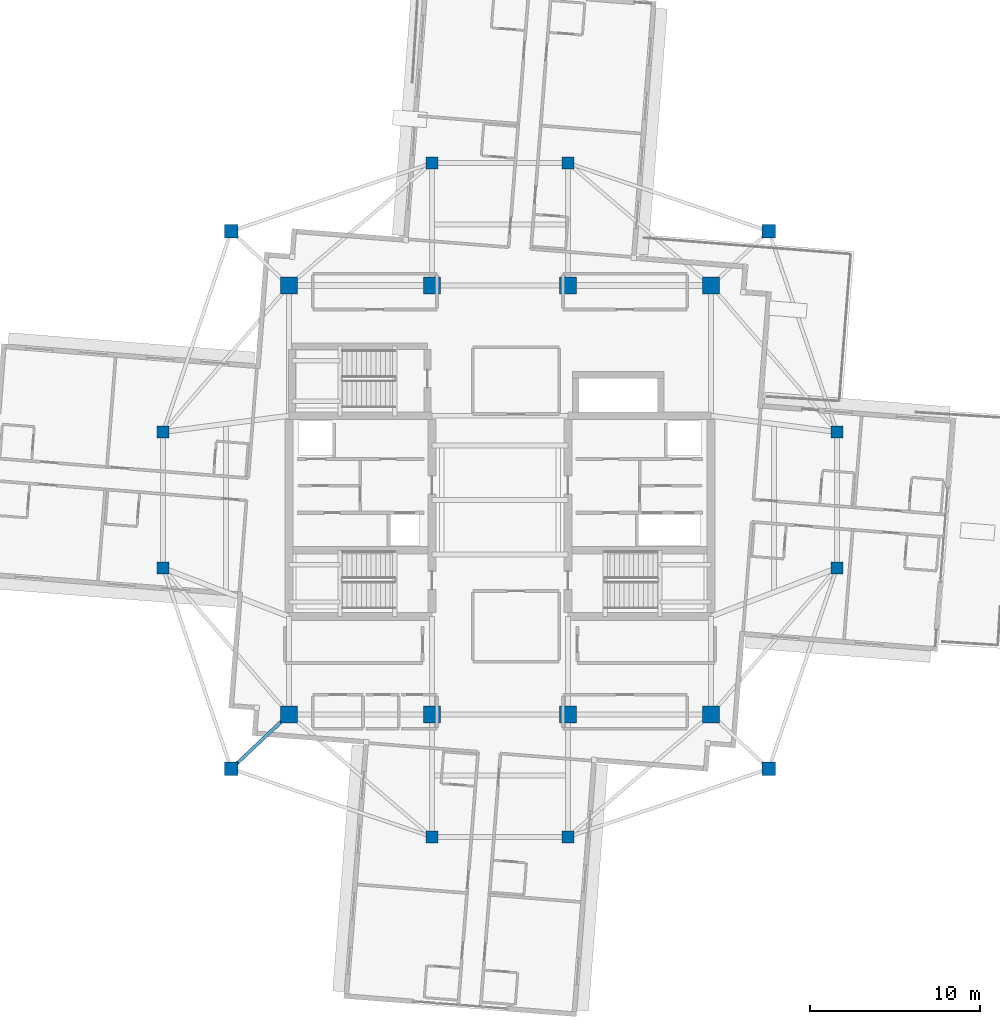
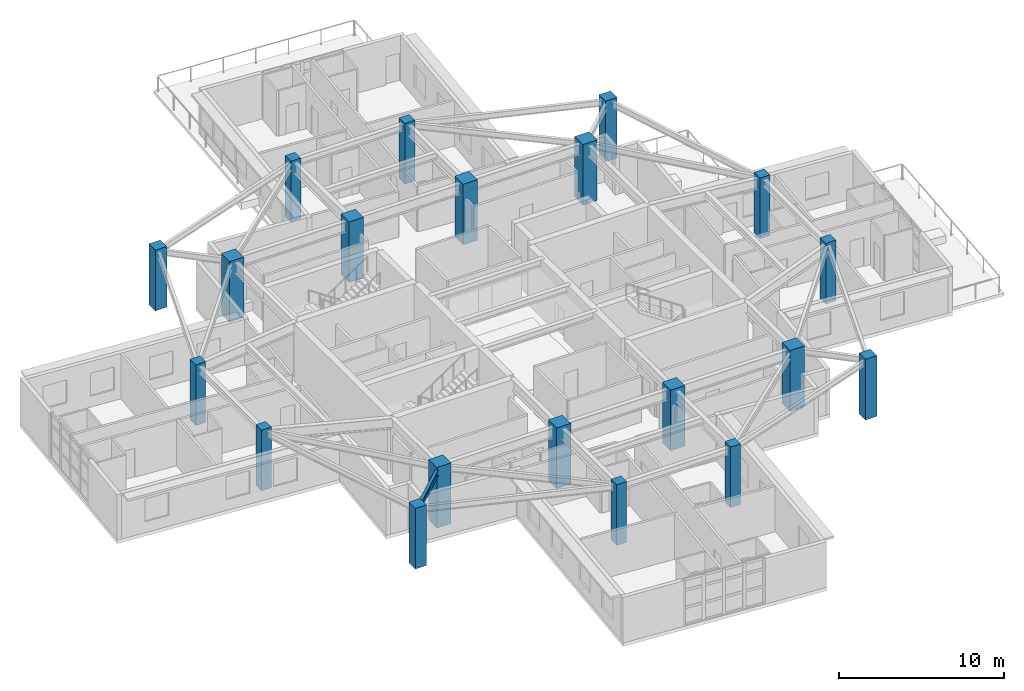
# One storey, part 1 of 23: 20 columns, 1 beam.
"""IFC4 building model written with IfcOpenShell, lengths in metres."""

from ifc_helpers import new_model, si_unit, direction, frame, origin, origin_2d, place, context, subcontext, project, spatial, rectangle, i_section, extrude, material, material_profile, profile_set, type_object, element, save


model = new_model("IFC4")

# Units and contexts
model_context = context("Model", 3, precision=1e-05, world=origin(), true_north=direction((0.0, 1.0)))
body_context = subcontext(model_context, "Body", "Model", "MODEL_VIEW")
ifc_project = project(units=[si_unit("LENGTHUNIT", "METRE"), si_unit("AREAUNIT", "SQUARE_METRE"), si_unit("VOLUMEUNIT", "CUBIC_METRE"), si_unit("PLANEANGLEUNIT", "RADIAN"), si_unit("MASSUNIT", "GRAM", prefix="KILO")], contexts=[model_context])

# Site, building, storey
site_placement = place(None, origin())
site = spatial("IfcSite", under=ifc_project, at=site_placement, CompositionType="ELEMENT")
building_placement = place(site_placement, origin())
building = spatial("IfcBuilding", under=site, at=building_placement, Name="Qingluan Cross Belvedere", CompositionType="ELEMENT")
storey_placement = place(building_placement, frame((0.0, 0.0, 245.39990234375)))
storey = spatial("IfcBuildingStorey", under=building, at=storey_placement, Name="L61", CompositionType="ELEMENT", Elevation=245.39990234375)

# Columns
ifc_material_1 = material(Name="Concrete C50", Category="concrete")
ifc_material_profile_1 = material_profile(ifc_material_1, rectangle(XDim=1.0, YDim=1.0, at=origin_2d()), Name="RC1000x1000")
ifc_profile_set_1 = profile_set([ifc_material_profile_1], Name="Concrete C50")
column_type_1 = type_object("IfcColumnType", Name="Column_RC1000x1000", PredefinedType="COLUMN", material=ifc_profile_set_1)
for number, where, z_axis, x_axis, name in (
    (1, (-12.39990234375, -12.60009765625, 0.0), (0.0, 0.0, 1.0), (1.0, 0.0, 0.0), "Hub column L61-HC1"),
    (2, (12.39990234375, -12.60009765625, 0.0), (0.0, 0.0, 1.0), (1.0, 0.0, 0.0), "Hub column L61-HC2"),
    (3, (12.39990234375, 12.60009765625, 0.0), (0.0, 0.0, 1.0), (1.0, 0.0, 0.0), "Hub column L61-HC3"),
    (4, (-12.39990234375, 12.60009765625, 0.0), (0.0, 0.0, 1.0), (1.0, 0.0, 0.0), "Hub column L61-HC4"),
    (5, (-4.0, -12.60009765625, 0.0), (0.0, 0.0, 1.0), (1.0, 0.0, 0.0), "Hub column L61-HC5"),
    (6, (4.0, -12.60009765625, 0.0), (0.0, 0.0, 1.0), (1.0, 0.0, 0.0), "Hub column L61-HC6"),
    (7, (4.0, 12.60009765625, 0.0), (0.0, 0.0, 1.0), (1.0, 0.0, 0.0), "Hub column L61-HC7"),
    (8, (-4.0, 12.60009765625, 0.0), (0.0, 0.0, 1.0), (1.0, 0.0, 0.0), "Hub column L61-HC8"),
):
    element("IfcColumn", number, at=place(storey_placement, frame(where, z_axis=z_axis, x_axis=x_axis)), inside=storey, type_object=column_type_1, Name=name, PredefinedType="COLUMN", context=body_context, shape_type="SweptSolid", body=[
        extrude(rectangle(XDim=1.0, YDim=1.0, at=origin_2d()), origin(), (0.0, 0.0, 1.0), 4.5),
    ])
ifc_material_2 = material(Name="Concrete C50", Category="concrete")
ifc_material_profile_2 = material_profile(ifc_material_2, rectangle(XDim=0.699951171875, YDim=0.699951171875, at=origin_2d()), Name="RC700x700")
ifc_profile_set_2 = profile_set([ifc_material_profile_2], Name="Concrete C50")
column_type_2 = type_object("IfcColumnType", Name="Column_RC700x700", PredefinedType="COLUMN", material=ifc_profile_set_2)
for number, where, z_axis, x_axis, name in (
    (9, (19.800048828125, -4.0, 0.0), (0.0, 0.0, 1.0), (1.0, 0.0, 0.0), "Arm column L61-EIA"),
    (10, (19.800048828125, 4.0, 0.0), (0.0, 0.0, 1.0), (1.0, 0.0, 0.0), "Arm column L61-EIB"),
    (11, (-19.800048828125, -4.0, 0.0), (0.0, 0.0, 1.0), (1.0, 0.0, 0.0), "Arm column L61-WIA"),
    (12, (-19.800048828125, 4.0, 0.0), (0.0, 0.0, 1.0), (1.0, 0.0, 0.0), "Arm column L61-WIB"),
    (13, (-4.0, -19.800048828125, 0.0), (0.0, 0.0, 1.0), (1.0, 0.0, 0.0), "Arm column L61-SIA"),
    (14, (4.0, -19.800048828125, 0.0), (0.0, 0.0, 1.0), (1.0, 0.0, 0.0), "Arm column L61-SIB"),
    (15, (-4.0, 19.800048828125, 0.0), (0.0, 0.0, 1.0), (1.0, 0.0, 0.0), "Arm column L61-NIA"),
    (16, (4.0, 19.800048828125, 0.0), (0.0, 0.0, 1.0), (1.0, 0.0, 0.0), "Arm column L61-NIB"),
):
    element("IfcColumn", number, at=place(storey_placement, frame(where, z_axis=z_axis, x_axis=x_axis)), inside=storey, type_object=column_type_2, Name=name, PredefinedType="COLUMN", context=body_context, shape_type="SweptSolid", body=[
        extrude(rectangle(XDim=0.699951171875, YDim=0.699951171875, at=origin_2d()), origin(), (0.0, 0.0, 1.0), 4.5),
    ])
ifc_material_3 = material(Name="Concrete C50", Category="concrete")
ifc_material_profile_3 = material_profile(ifc_material_3, rectangle(XDim=0.800048828125, YDim=0.800048828125, at=origin_2d()), Name="RC800x800")
ifc_profile_set_3 = profile_set([ifc_material_profile_3], Name="Concrete C50")
column_type_3 = type_object("IfcColumnType", Name="Column_RC800x800", PredefinedType="COLUMN", material=ifc_profile_set_3)
for number, where, z_axis, x_axis, name in (
    (17, (15.800048828125, 15.800048828125, 0.0), (0.0, 0.0, 1.0), (1.0, 0.0, 0.0), "Corner column L61-RNE"),
    (18, (-15.800048828125, 15.800048828125, 0.0), (0.0, 0.0, 1.0), (1.0, 0.0, 0.0), "Corner column L61-RNW"),
    (19, (-15.800048828125, -15.800048828125, 0.0), (0.0, 0.0, 1.0), (1.0, 0.0, 0.0), "Corner column L61-RSW"),
    (20, (15.800048828125, -15.800048828125, 0.0), (0.0, 0.0, 1.0), (1.0, 0.0, 0.0), "Corner column L61-RSE"),
):
    element("IfcColumn", number, at=place(storey_placement, frame(where, z_axis=z_axis, x_axis=x_axis)), inside=storey, type_object=column_type_3, Name=name, PredefinedType="COLUMN", context=body_context, shape_type="SweptSolid", body=[
        extrude(rectangle(XDim=0.800048828125, YDim=0.800048828125, at=origin_2d()), origin(), (0.0, 0.0, 1.0), 4.5),
    ])

# Beam
ifc_material_4 = material(Name="Steel Q420GJB", Category="steel")
ifc_material_profile_4 = material_profile(ifc_material_4, i_section(OverallWidth=0.199951171875, OverallDepth=0.449951171875, WebThickness=0.009033203125, FlangeThickness=0.013916015625, FilletRadius=0.01611328125, at=origin_2d()), Name="HN450x200x9x14")
ifc_profile_set_4 = profile_set([ifc_material_profile_4], Name="Steel Q420GJB")
beam_type = type_object("IfcBeamType", Name="Steel_Beam_HN450x200x9x14", PredefinedType="JOIST", material=ifc_profile_set_4)
beam_placement = place(storey_placement, frame((-12.39990234375, -12.60009765625, 4.0751953125), z_axis=(-0.728219948308, -0.685343495546, 0.0), x_axis=(0.685343495546, -0.728219948308, 0.0)))
element("IfcBeam", 21, at=beam_placement, inside=storey, type_object=beam_type, Name="Corner beam 1 L61-RSW", PredefinedType="JOIST", context=body_context, shape_type="SweptSolid", body=[
    extrude(i_section(OverallWidth=0.199951171875, OverallDepth=0.449951171875, WebThickness=0.009033203125, FlangeThickness=0.013916015625, FilletRadius=0.01611328125, at=origin_2d()), origin(), (0.0, 0.0, 1.0), 4.669189453125),
])

save(model, "model.ifc")
